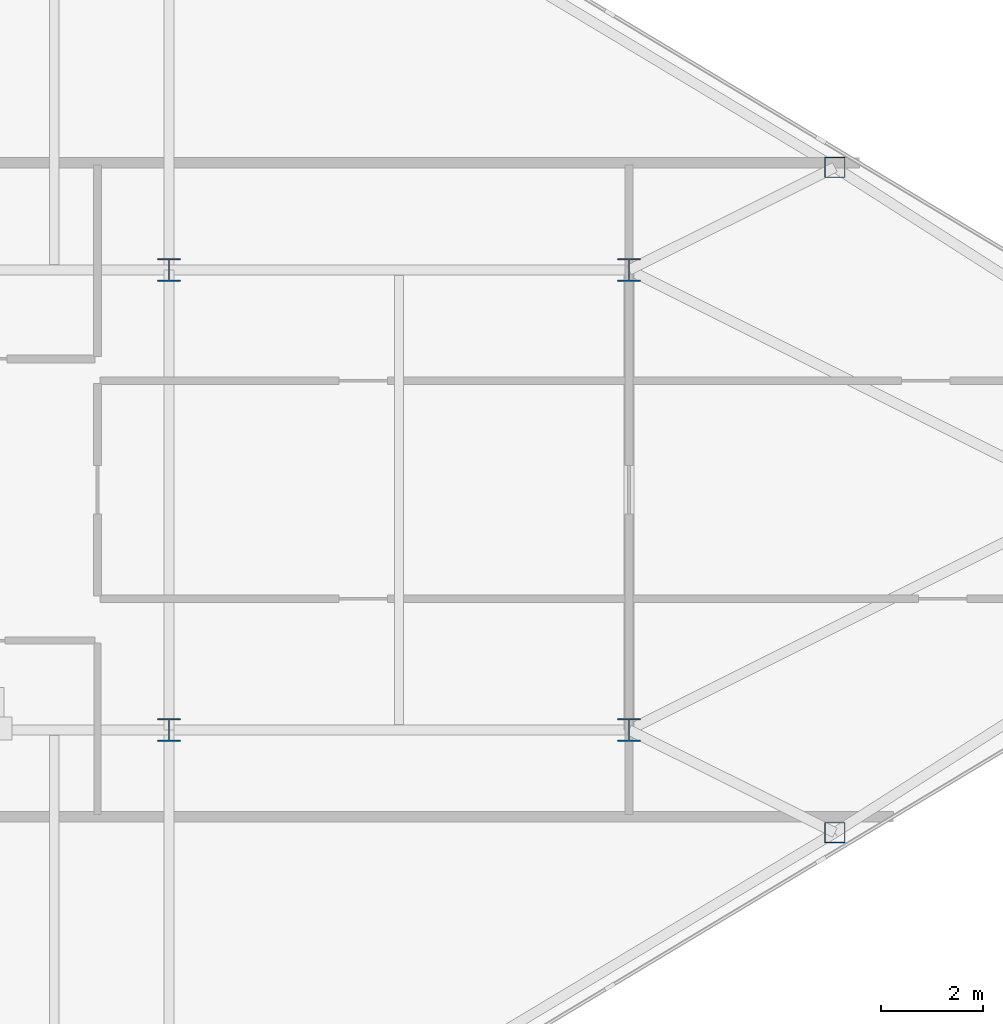
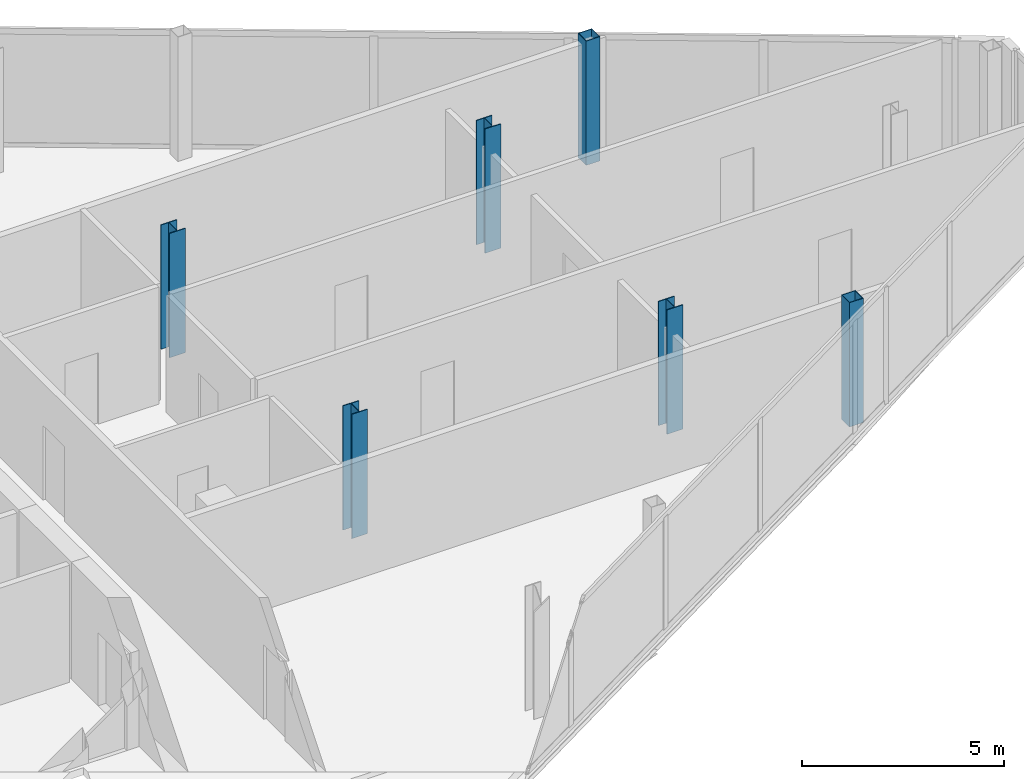
# One storey, part 5 of 29: 6 columns.
"""IFC4 building model written with IfcOpenShell, lengths in metres."""

from ifc_helpers import new_model, si_unit, direction, frame, origin, origin_2d, place, context, subcontext, project, spatial, hollow_rectangle, i_section, extrude, source, transform, mapped, material, material_profile, profile_set, type_object, type_shapes, element, save


model = new_model("IFC4")

# Units and contexts
model_context = context("Model", 3, precision=1e-05, world=origin(), true_north=direction((0.0, 1.0)))
body_context = subcontext(model_context, "Body", "Model", "MODEL_VIEW")
ifc_project = project(units=[si_unit("LENGTHUNIT", "METRE"), si_unit("AREAUNIT", "SQUARE_METRE"), si_unit("VOLUMEUNIT", "CUBIC_METRE"), si_unit("PLANEANGLEUNIT", "RADIAN"), si_unit("MASSUNIT", "GRAM", prefix="KILO")], contexts=[model_context])

# Site, building, storey
site_placement = place(None, origin())
site = spatial("IfcSite", under=ifc_project, at=site_placement, CompositionType="ELEMENT")
building_placement = place(site_placement, origin())
building = spatial("IfcBuilding", under=site, at=building_placement, Name="Seokmaru Belvedere", CompositionType="ELEMENT")
storey_placement = place(building_placement, frame((0.0, 0.0, 243.14990234375)))
storey = spatial("IfcBuildingStorey", under=building, at=storey_placement, Name="L64", CompositionType="ELEMENT", Elevation=243.14990234375)

# Columns
ifc_material = material(Name="Steel SM355 (355 MPa)", Category="steel")
ifc_material_profile_1 = material_profile(ifc_material, i_section(OverallWidth=0.449951171875, OverallDepth=0.449951171875, WebThickness=0.01611328125, FlangeThickness=0.02490234375, at=origin_2d()), Name="H-450x450x16x25")
ifc_profile_set_1 = profile_set([ifc_material_profile_1], Name="Steel SM355 (355 MPa)")
column_type_1 = type_object("IfcColumnType", Name="Sky-Gate Column H-450", PredefinedType="COLUMN", material=ifc_profile_set_1)
shared_shape_1 = source(origin(), body_context, "Body", "SweptSolid", [
    extrude(i_section(OverallWidth=0.449951171875, OverallDepth=0.449951171875, WebThickness=0.01611328125, FlangeThickness=0.02490234375, at=origin_2d()), origin(), (0.0, 0.0, 1.0), 3.75),
])
type_shapes(column_type_1, [shared_shape_1])
for number, where, z_axis, x_axis, name in (
    (1, (45.5, -4.5, 0.0), (0.0, 0.0, 1.0), (1.0, 0.0, 0.0), "L64 Column EG5_2"),
    (2, (45.5, 4.5, 0.0), (0.0, 0.0, 1.0), (1.0, 0.0, 0.0), "L64 Column EG5_3"),
    (3, (54.5, -4.5, 0.0), (0.0, 0.0, 1.0), (1.0, 0.0, 0.0), "L64 Column EG4P_1"),
    (4, (54.5, 4.5, 0.0), (0.0, 0.0, 1.0), (1.0, 0.0, 0.0), "L64 Column EG4P_2"),
):
    element("IfcColumn", number, at=place(storey_placement, frame(where, z_axis=z_axis, x_axis=x_axis)), inside=storey, type_object=column_type_1, Name=name, PredefinedType="COLUMN", context=body_context, shape_type="MappedRepresentation", body=[
        mapped(shared_shape_1, transform((0.0, 0.0, 0.0), scale=1.0)),
    ])
ifc_material_profile_2 = material_profile(ifc_material, hollow_rectangle(XDim=0.39990234375, YDim=0.39990234375, WallThickness=0.01611328125, at=origin_2d()), Name="HSS-400x400x16")
ifc_profile_set_2 = profile_set([ifc_material_profile_2], Name="Steel SM355 (355 MPa)")
column_type_2 = type_object("IfcColumnType", Name="Perimeter Facet Column HSS-400", PredefinedType="COLUMN", material=ifc_profile_set_2)
shared_shape_2 = source(origin(), body_context, "Body", "SweptSolid", [
    extrude(hollow_rectangle(XDim=0.39990234375, YDim=0.39990234375, WallThickness=0.01611328125, at=origin_2d()), origin(), (0.0, 0.0, 1.0), 3.75),
])
type_shapes(column_type_2, [shared_shape_2])
for number, where, z_axis, x_axis, name in (
    (5, (58.530029296875, -6.5087890625, 0.0), (0.0, 0.0, 1.0), (1.0, 0.0, 0.0), "L64 Column EFLK_S3"),
    (6, (58.530029296875, 6.5087890625, 0.0), (0.0, 0.0, 1.0), (1.0, 0.0, 0.0), "L64 Column EFLK_N3"),
):
    element("IfcColumn", number, at=place(storey_placement, frame(where, z_axis=z_axis, x_axis=x_axis)), inside=storey, type_object=column_type_2, Name=name, PredefinedType="COLUMN", context=body_context, shape_type="MappedRepresentation", body=[
        mapped(shared_shape_2, transform((0.0, 0.0, 0.0), scale=1.0)),
    ])

save(model, "model.ifc")
